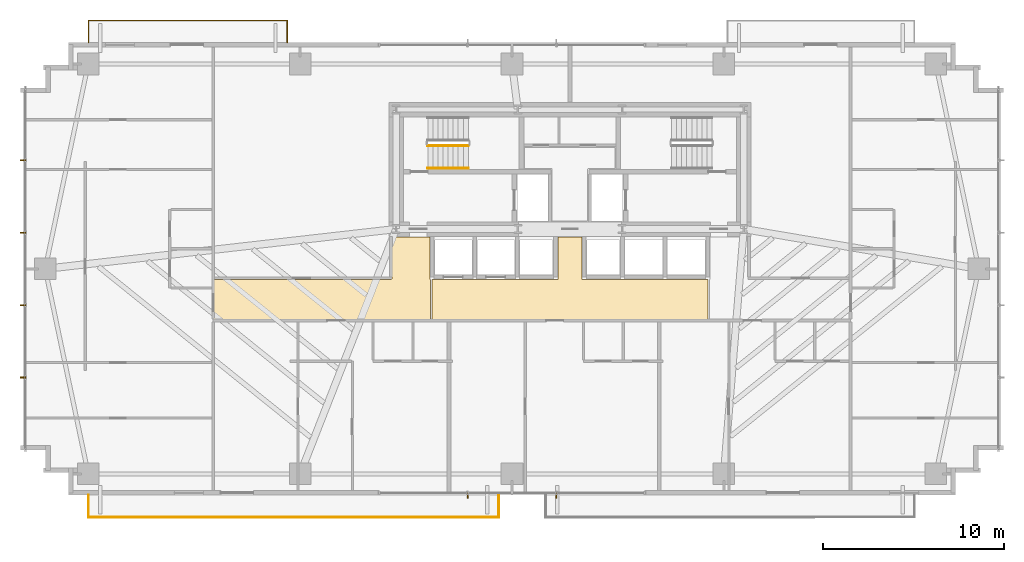
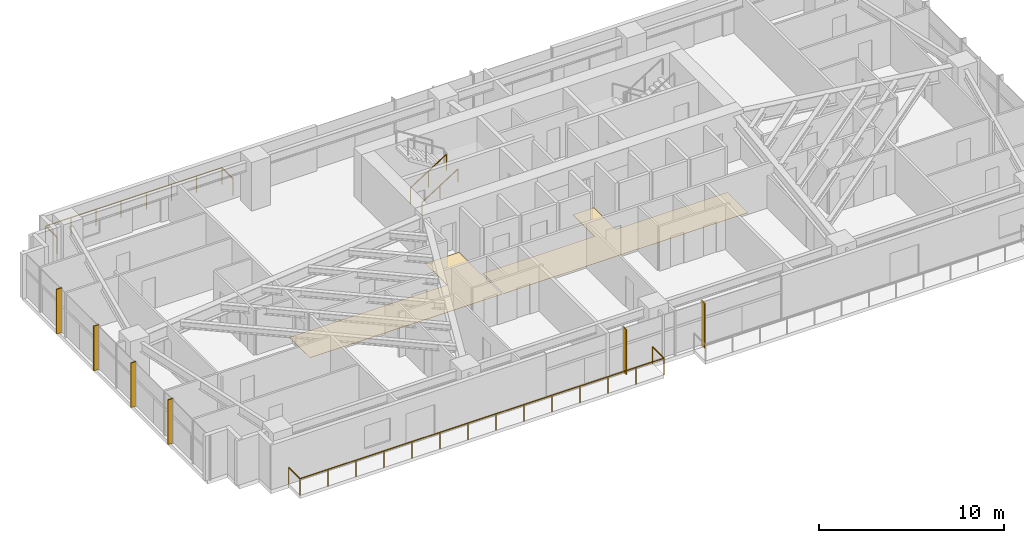
# One storey, part 23 of 25: 6 shading devices, 4 railings, 2 coverings.
"""IFC4 building model written with IfcOpenShell, lengths in metres."""

from ifc_helpers import new_model, si_unit, direction, frame, origin, origin_2d, place, context, subcontext, project, spatial, polyline, rectangle, outline, extrude, source, transform, mapped, material, layer, layer_set, type_object, type_shapes, element, save


model = new_model("IFC4")

# Units and contexts
model_context = context("Model", 3, precision=1e-05, world=origin(), true_north=direction((0.0, 1.0)))
body_context = subcontext(model_context, "Body", "Model", "MODEL_VIEW")
ifc_project = project(units=[si_unit("LENGTHUNIT", "METRE"), si_unit("AREAUNIT", "SQUARE_METRE"), si_unit("VOLUMEUNIT", "CUBIC_METRE"), si_unit("PLANEANGLEUNIT", "RADIAN"), si_unit("MASSUNIT", "GRAM", prefix="KILO")], contexts=[model_context])

# Site, building, storey
site_placement = place(None, origin())
site = spatial("IfcSite", under=ifc_project, at=site_placement, CompositionType="ELEMENT")
building_placement = place(site_placement, origin())
building = spatial("IfcBuilding", under=site, at=building_placement, Name="Astriad Promenade Condominiums", CompositionType="ELEMENT")
storey_placement = place(building_placement, frame((0.0, 0.0, 58.199951171875)))
storey = spatial("IfcBuildingStorey", under=building, at=storey_placement, Name="L16", CompositionType="ELEMENT", Elevation=58.199951171875)

# Coverings
ifc_material_1 = material(Name="Polished Lakefront Terrazzo Flooring")
ifc_layer = layer(ifc_material_1, 0.02001953125)
ifc_layer_set = layer_set([ifc_layer], Name="Polished Lakefront Terrazzo Flooring")
covering_type = type_object("IfcCoveringType", Name="COV-FLOR-TERRAZZO-20", PredefinedType="FLOORING", material=ifc_layer_set)
covering_1_placement = place(storey_placement, origin())
element("IfcCovering", 1, at=covering_1_placement, inside=storey, type_object=covering_type, Name="FLR-L16-LLB", PredefinedType="FLOORING", context=body_context, shape_type="SweptSolid", body=[
    extrude(outline(polyline([(43.610107421875, 14.610107421875), (43.610107421875, 12.389892578125), (28.389892578125, 12.389892578125), (28.389892578125, 14.610107421875), (35.300048828125, 14.610107421875), (35.303955078125, 14.610107421875), (35.307861328125, 14.61083984375), (35.3115234375, 14.61181640625), (35.315185546875, 14.613037109375), (35.31884765625, 14.61474609375), (35.322265625, 14.61669921875), (35.325439453125, 14.619140625), (35.328369140625, 14.62158203125), (35.330810546875, 14.62451171875), (35.333251953125, 14.627685546875), (35.335205078125, 14.631103515625), (35.3369140625, 14.634765625), (35.33837890625, 14.638427734375), (35.339111328125, 14.64208984375), (35.33984375, 14.64599609375), (35.340087890625, 14.64990234375), (35.340087890625, 16.9599609375), (36.659912109375, 16.9599609375), (36.659912109375, 14.64990234375), (36.66015625, 14.64599609375), (36.660888671875, 14.64208984375), (36.66162109375, 14.638427734375), (36.6630859375, 14.634765625), (36.664794921875, 14.631103515625), (36.666748046875, 14.627685546875), (36.669189453125, 14.62451171875), (36.671630859375, 14.62158203125), (36.674560546875, 14.619140625), (36.677734375, 14.61669921875), (36.68115234375, 14.61474609375), (36.684814453125, 14.613037109375), (36.6884765625, 14.61181640625), (36.692138671875, 14.61083984375), (36.696044921875, 14.610107421875), (36.699951171875, 14.610107421875), (43.610107421875, 14.610107421875)])), origin(), (0.0, 0.0, 1.0), 0.02001953125),
])
covering_2_placement = place(storey_placement, origin())
element("IfcCovering", 2, at=covering_2_placement, inside=storey, type_object=covering_type, Name="FLR-L16-COR-2", PredefinedType="FLOORING", context=body_context, shape_type="SweptSolid", body=[
    extrude(outline(polyline([(28.300048828125, 12.389892578125), (16.340087890625, 12.389892578125), (16.340087890625, 14.6201171875), (26.1201171875, 14.6201171875), (26.123779296875, 14.6201171875), (26.127685546875, 14.620849609375), (26.131591796875, 14.62158203125), (26.13525390625, 14.623046875), (26.138916015625, 14.624755859375), (26.14208984375, 14.626708984375), (26.1455078125, 14.629150390625), (26.148193359375, 14.631591796875), (26.15087890625, 14.634521484375), (26.1533203125, 14.6376953125), (26.1552734375, 14.64111328125), (26.156982421875, 14.644775390625), (26.158203125, 14.6484375), (26.1591796875, 14.652099609375), (26.159912109375, 14.656005859375), (26.159912109375, 14.659912109375), (26.159912109375, 16.9599609375), (28.260009765625, 16.9599609375), (28.260009765625, 14.64990234375), (28.26025390625, 14.64599609375), (28.2607421875, 14.64208984375), (28.26171875, 14.638427734375), (28.262939453125, 14.634765625), (28.2646484375, 14.631103515625), (28.2666015625, 14.627685546875), (28.26904296875, 14.62451171875), (28.271728515625, 14.62158203125), (28.274658203125, 14.619140625), (28.27783203125, 14.61669921875), (28.281005859375, 14.61474609375), (28.28466796875, 14.613037109375), (28.288330078125, 14.61181640625), (28.292236328125, 14.61083984375), (28.296142578125, 14.610107421875), (28.300048828125, 14.610107421875), (28.300048828125, 12.389892578125)])), origin(), (0.0, 0.0, 1.0), 0.02001953125),
])

# Shading devices
ifc_material_2 = material(Name="Anodised aluminium 6063-T6 Black Fin", Category="aluminium")
shading_device_type = type_object("IfcShadingDeviceType", Name="FIN-BLACK-320", PredefinedType="USERDEFINED", material=ifc_material_2)
shared_shape_1 = source(origin(), body_context, "Body", "SweptSolid", [
    extrude(rectangle(XDim=0.06494140625, YDim=0.320068359375, at=origin_2d()), origin(), (0.0, 0.0, 1.0), 2.93994140625),
])
type_shapes(shading_device_type, [shared_shape_1])
for number, where, z_axis, x_axis, name in (
    (3, (5.7900390625, 9.199951171875, 0.0), (0.0, 0.0, 1.0), (0.0, 1.0, 0.0), "CW-L16-W-FIN-01"),
    (4, (5.7900390625, 13.199951171875, 0.0), (0.0, 0.0, 1.0), (0.0, 1.0, 0.0), "CW-L16-W-FIN-02"),
    (5, (5.7900390625, 17.199951171875, 0.0), (0.0, 0.0, 1.0), (0.0, 1.0, 0.0), "CW-L16-W-FIN-03"),
    (6, (5.7900390625, 21.199951171875, 0.0), (0.0, 0.0, 1.0), (0.0, 1.0, 0.0), "CW-L16-W-FIN-04"),
    (7, (35.25, 2.68994140625, 0.0), (0.0, 0.0, 1.0), (-1.0, 0.0, 0.0), "CW-L16-S-FIN-01"),
    (8, (30.35009765625, 2.68994140625, 0.0), (0.0, 0.0, 1.0), (-1.0, 0.0, 0.0), "CW-L16-S-FIN-02"),
):
    element("IfcShadingDevice", number, at=place(storey_placement, frame(where, z_axis=z_axis, x_axis=x_axis)), inside=storey, type_object=shading_device_type, Name=name, ObjectType="FIN", PredefinedType="USERDEFINED", context=body_context, shape_type="MappedRepresentation", body=[
        mapped(shared_shape_1, transform((0.0, 0.0, 0.0), scale=1.0)),
    ])

# Railings
ifc_material_3 = material(Name="Laminated Glass and Stainless Steel Balustrade", Category="steel")
railing_type_1 = type_object("IfcRailingType", Name="GRD-BALC-1120", PredefinedType="BALUSTRADE", material=ifc_material_3)
shared_shape_2 = source(origin(), body_context, "Body", "SweptSolid", [
    extrude(rectangle(XDim=0.048095703125, YDim=0.048095703125, at=origin_2d()), frame((0.0, 0.0, 1.09619140625), z_axis=(0.0, -1.0, 0.0), x_axis=(1.0, 0.0, 0.0)), (0.0, 0.0, 1.0), 1.219970703125),
    extrude(rectangle(XDim=0.048095703125, YDim=0.048095703125, at=origin_2d()), frame((0.0, -1.219970703125, 1.09619140625), z_axis=(1.0, 0.0, 0.0), x_axis=(0.0, 1.0, 0.0)), (0.0, 0.0, 1.0), 22.663818359375),
    extrude(rectangle(XDim=0.048095703125, YDim=0.048095703125, at=origin_2d()), frame((22.663818359375, -1.219970703125, 1.09619140625), z_axis=(0.0, 1.0, 0.0), x_axis=(-1.0, 0.0, 0.0)), (0.0, 0.0, 1.0), 1.219970703125),
    extrude(rectangle(XDim=0.0419921875, YDim=0.0419921875, at=origin_2d()), origin(), (0.0, 0.0, 1.0), 1.072021484375),
    extrude(rectangle(XDim=0.0419921875, YDim=0.0419921875, at=origin_2d()), frame((0.0, -1.219970703125, 0.0)), (0.0, 0.0, 1.0), 1.072021484375),
    extrude(rectangle(XDim=0.0419921875, YDim=0.0419921875, at=origin_2d()), frame((1.743408203125, -1.219970703125, 0.0)), (0.0, 0.0, 1.0), 1.072021484375),
    extrude(rectangle(XDim=0.0419921875, YDim=0.0419921875, at=origin_2d()), frame((3.48681640625, -1.219970703125, 0.0)), (0.0, 0.0, 1.0), 1.072021484375),
    extrude(rectangle(XDim=0.0419921875, YDim=0.0419921875, at=origin_2d()), frame((5.230224609375, -1.219970703125, 0.0)), (0.0, 0.0, 1.0), 1.072021484375),
    extrude(rectangle(XDim=0.0419921875, YDim=0.0419921875, at=origin_2d()), frame((6.973388671875, -1.219970703125, 0.0)), (0.0, 0.0, 1.0), 1.072021484375),
    extrude(rectangle(XDim=0.0419921875, YDim=0.0419921875, at=origin_2d()), frame((8.716796875, -1.219970703125, 0.0)), (0.0, 0.0, 1.0), 1.072021484375),
    extrude(rectangle(XDim=0.0419921875, YDim=0.0419921875, at=origin_2d()), frame((10.460205078125, -1.219970703125, 0.0)), (0.0, 0.0, 1.0), 1.072021484375),
    extrude(rectangle(XDim=0.0419921875, YDim=0.0419921875, at=origin_2d()), frame((12.20361328125, -1.219970703125, 0.0)), (0.0, 0.0, 1.0), 1.072021484375),
    extrude(rectangle(XDim=0.0419921875, YDim=0.0419921875, at=origin_2d()), frame((13.947021484375, -1.219970703125, 0.0)), (0.0, 0.0, 1.0), 1.072021484375),
    extrude(rectangle(XDim=0.0419921875, YDim=0.0419921875, at=origin_2d()), frame((15.6904296875, -1.219970703125, 0.0)), (0.0, 0.0, 1.0), 1.072021484375),
    extrude(rectangle(XDim=0.0419921875, YDim=0.0419921875, at=origin_2d()), frame((17.43359375, -1.219970703125, 0.0)), (0.0, 0.0, 1.0), 1.072021484375),
    extrude(rectangle(XDim=0.0419921875, YDim=0.0419921875, at=origin_2d()), frame((19.177001953125, -1.219970703125, 0.0)), (0.0, 0.0, 1.0), 1.072021484375),
    extrude(rectangle(XDim=0.0419921875, YDim=0.0419921875, at=origin_2d()), frame((20.92041015625, -1.219970703125, 0.0)), (0.0, 0.0, 1.0), 1.072021484375),
    extrude(rectangle(XDim=0.0419921875, YDim=0.0419921875, at=origin_2d()), frame((22.663818359375, -1.219970703125, 0.0)), (0.0, 0.0, 1.0), 1.072021484375),
    extrude(rectangle(XDim=0.0419921875, YDim=0.0419921875, at=origin_2d()), frame((22.663818359375, 0.0, 0.0)), (0.0, 0.0, 1.0), 1.072021484375),
])
railing_1_placement = place(storey_placement, frame((9.4140625, 2.699951171875, 0.0)))
element("IfcRailing", 9, at=railing_1_placement, inside=storey, type_object=railing_type_1, Name="GRD-BALC-L16-SW", PredefinedType="BALUSTRADE", context=body_context, shape_type="MappedRepresentation", body=[
    mapped(shared_shape_2, transform((0.0, 0.0, 0.0), scale=1.0)),
])
shared_shape_3 = source(origin(), body_context, "Body", "SweptSolid", [
    extrude(rectangle(XDim=0.048095703125, YDim=0.048095703125, at=origin_2d()), frame((0.0, 0.0, 1.09619140625), z_axis=(0.0, 1.0, 0.0), x_axis=(-1.0, 0.0, 0.0)), (0.0, 0.0, 1.0), 1.219970703125),
    extrude(rectangle(XDim=0.048095703125, YDim=0.048095703125, at=origin_2d()), frame((0.0, 1.219970703125, 1.09619140625), z_axis=(-1.0, 0.0, 0.0), x_axis=(0.0, -1.0, 0.0)), (0.0, 0.0, 1.0), 10.975830078125),
    extrude(rectangle(XDim=0.048095703125, YDim=0.048095703125, at=origin_2d()), frame((-10.975830078125, 1.219970703125, 1.09619140625), z_axis=(0.0, -1.0, 0.0), x_axis=(1.0, 0.0, 0.0)), (0.0, 0.0, 1.0), 1.219970703125),
    extrude(rectangle(XDim=0.0419921875, YDim=0.0419921875, at=origin_2d()), origin(), (0.0, 0.0, 1.0), 1.072021484375),
    extrude(rectangle(XDim=0.0419921875, YDim=0.0419921875, at=origin_2d()), frame((0.0, 1.219970703125, 0.0)), (0.0, 0.0, 1.0), 1.072021484375),
    extrude(rectangle(XDim=0.0419921875, YDim=0.0419921875, at=origin_2d()), frame((-1.56787109375, 1.219970703125, 0.0)), (0.0, 0.0, 1.0), 1.072021484375),
    extrude(rectangle(XDim=0.0419921875, YDim=0.0419921875, at=origin_2d()), frame((-3.135986328125, 1.219970703125, 0.0)), (0.0, 0.0, 1.0), 1.072021484375),
    extrude(rectangle(XDim=0.0419921875, YDim=0.0419921875, at=origin_2d()), frame((-4.703857421875, 1.219970703125, 0.0)), (0.0, 0.0, 1.0), 1.072021484375),
    extrude(rectangle(XDim=0.0419921875, YDim=0.0419921875, at=origin_2d()), frame((-6.27197265625, 1.219970703125, 0.0)), (0.0, 0.0, 1.0), 1.072021484375),
    extrude(rectangle(XDim=0.0419921875, YDim=0.0419921875, at=origin_2d()), frame((-7.83984375, 1.219970703125, 0.0)), (0.0, 0.0, 1.0), 1.072021484375),
    extrude(rectangle(XDim=0.0419921875, YDim=0.0419921875, at=origin_2d()), frame((-9.407958984375, 1.219970703125, 0.0)), (0.0, 0.0, 1.0), 1.072021484375),
    extrude(rectangle(XDim=0.0419921875, YDim=0.0419921875, at=origin_2d()), frame((-10.975830078125, 1.219970703125, 0.0)), (0.0, 0.0, 1.0), 1.072021484375),
    extrude(rectangle(XDim=0.0419921875, YDim=0.0419921875, at=origin_2d()), frame((-10.975830078125, 0.0, 0.0)), (0.0, 0.0, 1.0), 1.072021484375),
])
type_shapes(railing_type_1, [shared_shape_2, shared_shape_3])
railing_2_placement = place(storey_placement, frame((20.389892578125, 27.699951171875, 0.0)))
element("IfcRailing", 10, at=railing_2_placement, inside=storey, type_object=railing_type_1, Name="GRD-BALC-L16-NW", PredefinedType="BALUSTRADE", context=body_context, shape_type="MappedRepresentation", body=[
    mapped(shared_shape_3, transform((0.0, 0.0, 0.0), scale=1.0)),
])
ifc_material_4 = material(Name="Painted Galvanised Steel Guardrail", Category="steel")
railing_type_2 = type_object("IfcRailingType", Name="GRD-STAIR-1100", PredefinedType="GUARDRAIL", material=ifc_material_4)
shared_shape_4 = source(origin(), body_context, "Body", "SweptSolid", [
    extrude(rectangle(XDim=0.048095703125, YDim=0.048095703125, at=origin_2d()), frame((0.0, 0.0, 1.076171875), z_axis=(0.84418770128, 0.0, 0.536047689118), x_axis=(0.0, 1.0, 0.0)), (0.0, 0.0, 1.0), 2.6533203125),
    extrude(rectangle(XDim=0.0419921875, YDim=0.0419921875, at=origin_2d()), origin(), (0.0, 0.0, 1.0), 1.052001953125),
    extrude(rectangle(XDim=0.0419921875, YDim=0.0419921875, at=origin_2d()), frame((1.1201171875, 0.0, 0.711181640625)), (0.0, 0.0, 1.0), 1.052001953125),
    extrude(rectangle(XDim=0.0419921875, YDim=0.0419921875, at=origin_2d()), frame((2.239990234375, 0.0, 1.42236328125)), (0.0, 0.0, 1.0), 1.052001953125),
])
type_shapes(railing_type_2, [shared_shape_4])
railing_3_placement = place(storey_placement, frame((28.14990234375, 22.0, 0.177734375)))
element("IfcRailing", 11, at=railing_3_placement, inside=storey, type_object=railing_type_2, Name="L16 ST-1 stair guard 1", PredefinedType="GUARDRAIL", context=body_context, shape_type="MappedRepresentation", body=[
    mapped(shared_shape_4, transform((0.0, 0.0, 0.0), scale=1.0)),
])
ifc_material_5 = material(Name="Brushed Stainless Steel Handrail", Category="steel")
railing_type_3 = type_object("IfcRailingType", Name="HRL-STAIR-920", PredefinedType="HANDRAIL", material=ifc_material_5)
shared_shape_5 = source(origin(), body_context, "Body", "SweptSolid", [
    extrude(rectangle(XDim=0.048095703125, YDim=0.048095703125, at=origin_2d()), frame((0.0, 0.0, 0.8759765625), z_axis=(0.84418770128, 0.0, 0.536047689118), x_axis=(0.0, 1.0, 0.0)), (0.0, 0.0, 1.0), 2.6533203125),
    extrude(rectangle(XDim=0.0419921875, YDim=0.0419921875, at=origin_2d()), origin(), (0.0, 0.0, 1.0), 0.851806640625),
    extrude(rectangle(XDim=0.0419921875, YDim=0.0419921875, at=origin_2d()), frame((1.1201171875, 0.0, 0.711181640625)), (0.0, 0.0, 1.0), 0.851806640625),
    extrude(rectangle(XDim=0.0419921875, YDim=0.0419921875, at=origin_2d()), frame((2.239990234375, 0.0, 1.42236328125)), (0.0, 0.0, 1.0), 0.851806640625),
])
type_shapes(railing_type_3, [shared_shape_5])
railing_4_placement = place(storey_placement, frame((28.14990234375, 20.75, 0.177734375)))
element("IfcRailing", 12, at=railing_4_placement, inside=storey, type_object=railing_type_3, Name="L16 ST-1 stair handrail 1", PredefinedType="HANDRAIL", context=body_context, shape_type="MappedRepresentation", body=[
    mapped(shared_shape_5, transform((0.0, 0.0, 0.0), scale=1.0)),
])

save(model, "model.ifc")
